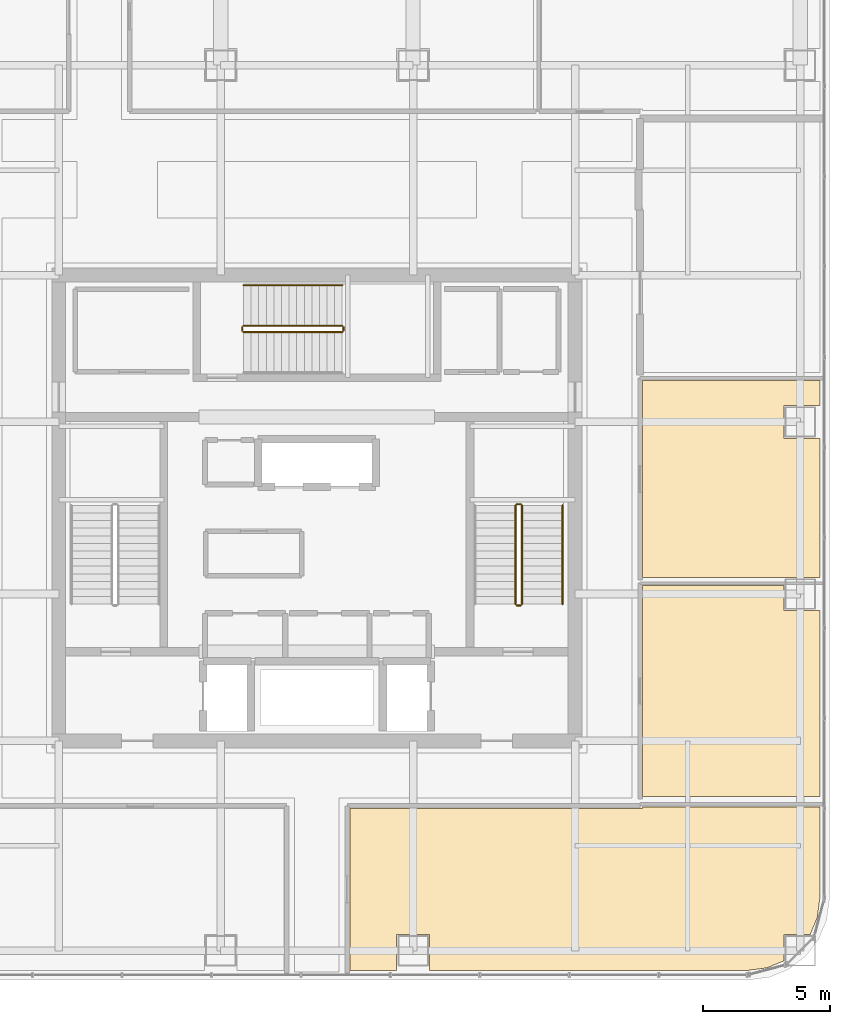
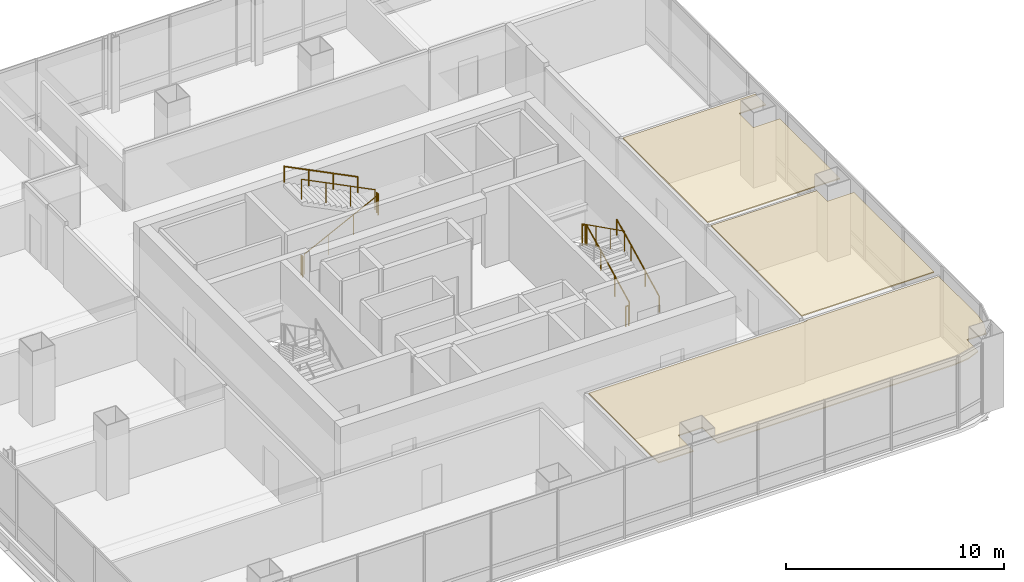
# One storey, part 40 of 41: 10 railings, 3 coverings.
"""IFC4 building model written with IfcOpenShell, lengths in metres."""

from ifc_helpers import new_model, si_unit, direction, frame, origin, origin_2d, place, context, subcontext, project, spatial, polyline, circle, outline, extrude, material, layer, layer_set, type_object, element, save


model = new_model("IFC4")

# Units and contexts
model_context = context("Model", 3, precision=1e-05, world=origin(), true_north=direction((0.0, 1.0)))
body_context = subcontext(model_context, "Body", "Model", "MODEL_VIEW")
ifc_project = project(units=[si_unit("LENGTHUNIT", "METRE"), si_unit("AREAUNIT", "SQUARE_METRE"), si_unit("VOLUMEUNIT", "CUBIC_METRE"), si_unit("PLANEANGLEUNIT", "RADIAN"), si_unit("MASSUNIT", "GRAM", prefix="KILO")], contexts=[model_context])

# Site, building, storey
site_placement = place(None, origin())
site = spatial("IfcSite", under=ifc_project, at=site_placement, CompositionType="ELEMENT")
building_placement = place(site_placement, origin())
building = spatial("IfcBuilding", under=site, at=building_placement, Name="Punatoya Terracotta Tower", CompositionType="ELEMENT")
storey_placement = place(building_placement, frame((0.0, 0.0, 292.199951171875)))
storey = spatial("IfcBuildingStorey", under=building, at=storey_placement, Name="L69", CompositionType="ELEMENT", Elevation=292.199951171875)

# Coverings
ifc_material_1 = material(Name="Acoustic Mineral Fibre Ceiling")
ifc_layer = layer(ifc_material_1, 0.06005859375)
ifc_layer_set = layer_set([ifc_layer], Name="Acoustic Mineral Fibre Ceiling")
covering_type = type_object("IfcCoveringType", Name="COV-CEIL-60", PredefinedType="CEILING", material=ifc_layer_set)
covering_1_placement = place(storey_placement, frame((0.0, 0.0, 3.39013671875)))
element("IfcCovering", 1, at=covering_1_placement, inside=storey, type_object=covering_type, Name="L69 Open-Plan Occupational Rest Lounge Acoustic Ceiling", PredefinedType="CEILING", context=body_context, shape_type="SweptSolid", body=[
    extrude(outline(polyline([(3.14990234375, -18.27001953125), (3.14990234375, -16.85009765625), (4.449951171875, -16.85009765625), (4.449951171875, -18.27001953125), (17.025146484375, -18.27001953125), (17.779052734375, -18.1708984375), (18.449951171875, -17.892822265625), (18.449951171875, -16.85009765625), (19.492919921875, -16.85009765625), (19.770751953125, -16.178955078125), (19.8701171875, -15.425048828125), (19.8701171875, -11.81005859375), (12.8701171875, -11.81005859375), (12.8701171875, -11.8701171875), (1.300048828125, -11.8701171875), (1.300048828125, -18.27001953125), (3.14990234375, -18.27001953125)])), origin(), (0.0, 0.0, 1.0), 0.059814453125),
])
covering_2_placement = place(storey_placement, frame((0.0, 0.0, 3.39013671875)))
element("IfcCovering", 2, at=covering_2_placement, inside=storey, type_object=covering_type, Name="L69 Open-Plan Leadership Training Classroom Acoustic Ceiling", PredefinedType="CEILING", context=body_context, shape_type="SweptSolid", body=[
    extrude(outline(polyline([(19.8701171875, -11.389892578125), (19.8701171875, -4.050048828125), (18.449951171875, -4.050048828125), (18.449951171875, -3.070068359375), (12.8701171875, -3.070068359375), (12.8701171875, -11.389892578125), (19.8701171875, -11.389892578125)])), origin(), (0.0, 0.0, 1.0), 0.059814453125),
])
covering_3_placement = place(storey_placement, frame((0.0, 0.0, 3.39013671875)))
element("IfcCovering", 3, at=covering_3_placement, inside=storey, type_object=covering_type, Name="L69 Open-Plan Mindfulness Wellness Room Acoustic Ceiling", PredefinedType="CEILING", context=body_context, shape_type="SweptSolid", body=[
    extrude(outline(polyline([(12.8701171875, 5.030029296875), (12.8701171875, -2.75), (19.8701171875, -2.75), (19.8701171875, 2.75), (18.449951171875, 2.75), (18.449951171875, 4.050048828125), (19.8701171875, 4.050048828125), (19.8701171875, 5.030029296875), (12.8701171875, 5.030029296875)])), origin(), (0.0, 0.0, 1.0), 0.059814453125),
])

# Railings
ifc_material_2 = material(Name="Steel S355", Category="steel")
railing_type_1 = type_object("IfcRailingType", Name="RLG-GRD-1150", PredefinedType="GUARDRAIL", material=ifc_material_2)
railing_1_placement = place(storey_placement, frame((8.10009765625, -3.800048828125, 0.150146484375)))
element("IfcRailing", 4, at=railing_1_placement, inside=storey, type_object=railing_type_1, Name="L69 ST-2 stair guard 1", PredefinedType="GUARDRAIL", context=body_context, shape_type="SweptSolid", body=[
    extrude(circle(Radius=0.02392578125, at=origin_2d()), frame((0.0, 0.0, 1.1259765625), z_axis=(0.0, 0.894438388696, 0.447191199406), x_axis=(-1.0, 0.0, 0.0)), (0.0, 0.0, 1.0), 4.3603515625),
    extrude(circle(Radius=0.02099609375, at=origin_2d()), origin(), (0.0, 0.0, 1.0), 1.101806640625),
    extrude(circle(Radius=0.02099609375, at=origin_2d()), frame((0.0, 1.300048828125, 0.64990234375)), (0.0, 0.0, 1.0), 1.101806640625),
    extrude(circle(Radius=0.02099609375, at=origin_2d()), frame((0.0, 2.60009765625, 1.300048828125)), (0.0, 0.0, 1.0), 1.101806640625),
    extrude(circle(Radius=0.02099609375, at=origin_2d()), frame((0.0, 3.900146484375, 1.949951171875)), (0.0, 0.0, 1.0), 1.101806640625),
])
railing_2_placement = place(storey_placement, frame((8.050048828125, 0.14990234375, 2.10009765625)))
element("IfcRailing", 5, at=railing_2_placement, inside=storey, type_object=railing_type_1, Name="L69 ST-2 stair guard 2", PredefinedType="GUARDRAIL", context=body_context, shape_type="SweptSolid", body=[
    extrude(circle(Radius=0.02392578125, at=origin_2d()), frame((0.0, 0.0, 1.1259765625), z_axis=(-1.0, 0.0, 0.0), x_axis=(0.0, -1.0, 0.0)), (0.0, 0.0, 1.0), 0.150146484375),
    extrude(circle(Radius=0.02099609375, at=origin_2d()), origin(), (0.0, 0.0, 1.0), 1.101806640625),
    extrude(circle(Radius=0.02099609375, at=origin_2d()), frame((-0.150146484375, 0.0, 0.0)), (0.0, 0.0, 1.0), 1.101806640625),
])
railing_3_placement = place(storey_placement, frame((7.85009765625, 0.10009765625, 2.25)))
element("IfcRailing", 6, at=railing_3_placement, inside=storey, type_object=railing_type_1, Name="L69 ST-2 stair guard 3", PredefinedType="GUARDRAIL", context=body_context, shape_type="SweptSolid", body=[
    extrude(circle(Radius=0.02392578125, at=origin_2d()), frame((0.0, 0.0, 1.1259765625), z_axis=(0.0, -0.894438388696, 0.447191199406), x_axis=(1.0, 0.0, 0.0)), (0.0, 0.0, 1.0), 4.3603515625),
    extrude(circle(Radius=0.02099609375, at=origin_2d()), origin(), (0.0, 0.0, 1.0), 1.101806640625),
    extrude(circle(Radius=0.02099609375, at=origin_2d()), frame((0.0, -1.300048828125, 0.64990234375)), (0.0, 0.0, 1.0), 1.101806640625),
    extrude(circle(Radius=0.02099609375, at=origin_2d()), frame((0.0, -2.60009765625, 1.300048828125)), (0.0, 0.0, 1.0), 1.101806640625),
    extrude(circle(Radius=0.02099609375, at=origin_2d()), frame((0.0, -3.900146484375, 1.949951171875)), (0.0, 0.0, 1.0), 1.101806640625),
])
railing_4_placement = place(storey_placement, frame((8.050048828125, -3.85009765625, 0.0)))
element("IfcRailing", 7, at=railing_4_placement, inside=storey, type_object=railing_type_1, Name="L69 ST-2 stair guard 4", PredefinedType="GUARDRAIL", context=body_context, shape_type="SweptSolid", body=[
    extrude(circle(Radius=0.02392578125, at=origin_2d()), frame((0.0, 0.0, 1.1259765625), z_axis=(-1.0, 0.0, 0.0), x_axis=(0.0, -1.0, 0.0)), (0.0, 0.0, 1.0), 0.150146484375),
    extrude(circle(Radius=0.02099609375, at=origin_2d()), origin(), (0.0, 0.0, 1.0), 1.101806640625),
    extrude(circle(Radius=0.02099609375, at=origin_2d()), frame((-0.150146484375, 0.0, 0.0)), (0.0, 0.0, 1.0), 1.101806640625),
])
railing_5_placement = place(storey_placement, frame((-2.89990234375, 6.949951171875, 0.150146484375)))
element("IfcRailing", 8, at=railing_5_placement, inside=storey, type_object=railing_type_1, Name="L69 ST-3 stair guard 1", PredefinedType="GUARDRAIL", context=body_context, shape_type="SweptSolid", body=[
    extrude(circle(Radius=0.02392578125, at=origin_2d()), frame((0.0, 0.0, 1.1259765625), z_axis=(0.894427191, 0.0, 0.4472135955), x_axis=(0.0, 1.0, 0.0)), (0.0, 0.0, 1.0), 4.360107421875),
    extrude(circle(Radius=0.02099609375, at=origin_2d()), origin(), (0.0, 0.0, 1.0), 1.101806640625),
    extrude(circle(Radius=0.02099609375, at=origin_2d()), frame((1.300048828125, 0.0, 0.64990234375)), (0.0, 0.0, 1.0), 1.101806640625),
    extrude(circle(Radius=0.02099609375, at=origin_2d()), frame((2.599853515625, 0.0, 1.300048828125)), (0.0, 0.0, 1.0), 1.101806640625),
    extrude(circle(Radius=0.02099609375, at=origin_2d()), frame((3.89990234375, 0.0, 1.949951171875)), (0.0, 0.0, 1.0), 1.101806640625),
])
railing_6_placement = place(storey_placement, frame((1.050048828125, 7.0, 2.10009765625)))
element("IfcRailing", 9, at=railing_6_placement, inside=storey, type_object=railing_type_1, Name="L69 ST-3 stair guard 2", PredefinedType="GUARDRAIL", context=body_context, shape_type="SweptSolid", body=[
    extrude(circle(Radius=0.02392578125, at=origin_2d()), frame((0.0, 0.0, 1.1259765625), z_axis=(0.0, 1.0, 0.0), x_axis=(-1.0, 0.0, 0.0)), (0.0, 0.0, 1.0), 0.14990234375),
    extrude(circle(Radius=0.02099609375, at=origin_2d()), origin(), (0.0, 0.0, 1.0), 1.101806640625),
    extrude(circle(Radius=0.02099609375, at=origin_2d()), frame((0.0, 0.14990234375, 0.0)), (0.0, 0.0, 1.0), 1.101806640625),
])
railing_7_placement = place(storey_placement, frame((1.0, 7.199951171875, 2.25)))
element("IfcRailing", 10, at=railing_7_placement, inside=storey, type_object=railing_type_1, Name="L69 ST-3 stair guard 3", PredefinedType="GUARDRAIL", context=body_context, shape_type="SweptSolid", body=[
    extrude(circle(Radius=0.02392578125, at=origin_2d()), frame((0.0, 0.0, 1.1259765625), z_axis=(-0.894427191, 0.0, 0.4472135955), x_axis=(0.0, -1.0, 0.0)), (0.0, 0.0, 1.0), 4.360107421875),
    extrude(circle(Radius=0.02099609375, at=origin_2d()), origin(), (0.0, 0.0, 1.0), 1.101806640625),
    extrude(circle(Radius=0.02099609375, at=origin_2d()), frame((-1.300048828125, 0.0, 0.64990234375)), (0.0, 0.0, 1.0), 1.101806640625),
    extrude(circle(Radius=0.02099609375, at=origin_2d()), frame((-2.599853515625, 0.0, 1.300048828125)), (0.0, 0.0, 1.0), 1.101806640625),
    extrude(circle(Radius=0.02099609375, at=origin_2d()), frame((-3.89990234375, 0.0, 1.949951171875)), (0.0, 0.0, 1.0), 1.101806640625),
])
railing_8_placement = place(storey_placement, frame((-2.949951171875, 7.0, 0.0)))
element("IfcRailing", 11, at=railing_8_placement, inside=storey, type_object=railing_type_1, Name="L69 ST-3 stair guard 4", PredefinedType="GUARDRAIL", context=body_context, shape_type="SweptSolid", body=[
    extrude(circle(Radius=0.02392578125, at=origin_2d()), frame((0.0, 0.0, 1.1259765625), z_axis=(0.0, 1.0, 0.0), x_axis=(-1.0, 0.0, 0.0)), (0.0, 0.0, 1.0), 0.14990234375),
    extrude(circle(Radius=0.02099609375, at=origin_2d()), origin(), (0.0, 0.0, 1.0), 1.101806640625),
    extrude(circle(Radius=0.02099609375, at=origin_2d()), frame((0.0, 0.14990234375, 0.0)), (0.0, 0.0, 1.0), 1.101806640625),
])
railing_type_2 = type_object("IfcRailingType", Name="RLG-HND-900", PredefinedType="HANDRAIL", material=ifc_material_2)
railing_9_placement = place(storey_placement, frame((9.699951171875, -3.800048828125, 0.150146484375)))
element("IfcRailing", 12, at=railing_9_placement, inside=storey, type_object=railing_type_2, Name="L69 ST-2 stair handrail 1", PredefinedType="HANDRAIL", context=body_context, shape_type="SweptSolid", body=[
    extrude(circle(Radius=0.02392578125, at=origin_2d()), frame((0.0, 0.0, 0.8759765625), z_axis=(0.0, 0.894438388696, 0.447191199406), x_axis=(-1.0, 0.0, 0.0)), (0.0, 0.0, 1.0), 4.3603515625),
    extrude(circle(Radius=0.02099609375, at=origin_2d()), origin(), (0.0, 0.0, 1.0), 0.851806640625),
    extrude(circle(Radius=0.02099609375, at=origin_2d()), frame((0.0, 1.300048828125, 0.64990234375)), (0.0, 0.0, 1.0), 0.851806640625),
    extrude(circle(Radius=0.02099609375, at=origin_2d()), frame((0.0, 2.60009765625, 1.300048828125)), (0.0, 0.0, 1.0), 0.851806640625),
    extrude(circle(Radius=0.02099609375, at=origin_2d()), frame((0.0, 3.900146484375, 1.949951171875)), (0.0, 0.0, 1.0), 0.851806640625),
])
railing_10_placement = place(storey_placement, frame((1.0, 8.800048828125, 2.25)))
element("IfcRailing", 13, at=railing_10_placement, inside=storey, type_object=railing_type_2, Name="L69 ST-3 stair handrail 2", PredefinedType="HANDRAIL", context=body_context, shape_type="SweptSolid", body=[
    extrude(circle(Radius=0.02392578125, at=origin_2d()), frame((0.0, 0.0, 0.8759765625), z_axis=(-0.894427191, 0.0, 0.4472135955), x_axis=(0.0, -1.0, 0.0)), (0.0, 0.0, 1.0), 4.360107421875),
    extrude(circle(Radius=0.02099609375, at=origin_2d()), origin(), (0.0, 0.0, 1.0), 0.851806640625),
    extrude(circle(Radius=0.02099609375, at=origin_2d()), frame((-1.300048828125, 0.0, 0.64990234375)), (0.0, 0.0, 1.0), 0.851806640625),
    extrude(circle(Radius=0.02099609375, at=origin_2d()), frame((-2.599853515625, 0.0, 1.300048828125)), (0.0, 0.0, 1.0), 0.851806640625),
    extrude(circle(Radius=0.02099609375, at=origin_2d()), frame((-3.89990234375, 0.0, 1.949951171875)), (0.0, 0.0, 1.0), 0.851806640625),
])

save(model, "model.ifc")
